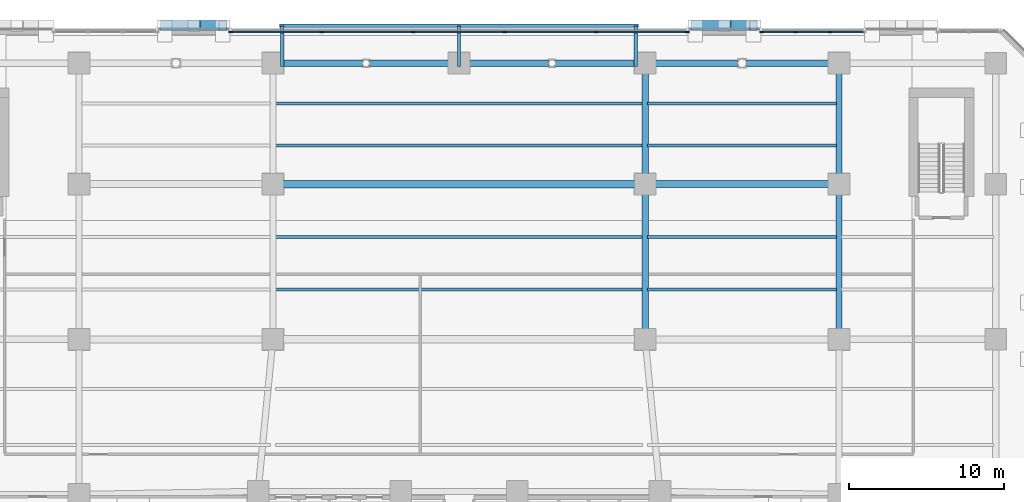
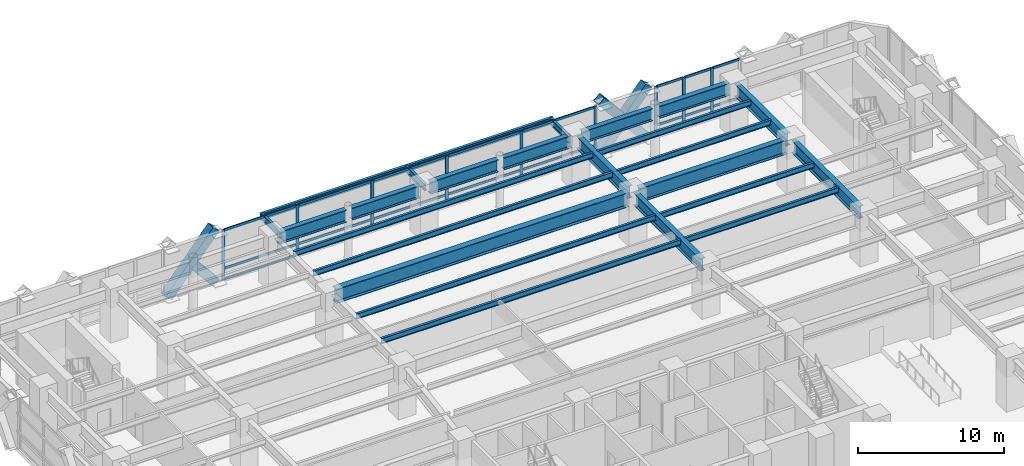
# One storey, part 10 of 30: 38 members, 24 beams, 2 elements without a shape of their own.
"""IFC4 building model written with IfcOpenShell, lengths in metres."""

import ifcopenshell
import ifcopenshell.guid

model = None  # the IFC model being written
_history = None  # IfcOwnerHistory: only IFC2X3 demands one
_inside = {}  # id of a spatial element -> (the spatial element, [elements in it])
_under = {}  # id of a project, library or spatial element -> (it, [spatial elements below it])
_declared = {}  # id of a project -> (the project, [libraries it declares])
_typed = {}  # id of a type object -> (the type object, [elements of that type])
_made_of = {}  # id of a material, layer set ... -> (it, [elements and type objects made of it])


def new_model(schema):
    """Start an empty IFC model of exactly this schema.

    Asked for "IFC4X3", IfcOpenShell would pick the latest addendum, in which some entities
    have other attributes; the version numbers below select the first issue.
    IFC2X3 requires an IfcOwnerHistory on every rooted entity: one is made here for all.
    """
    global model, _history
    if schema == "IFC4X3":
        model = ifcopenshell.file(schema_version=(4, 3, 0, 0))
    else:
        model = ifcopenshell.file(schema=schema)
    _inside.clear()
    _under.clear()
    _declared.clear()
    _typed.clear()
    _made_of.clear()
    _history = None
    if model.schema == "IFC2X3":
        org = make("IfcOrganization", Name="unknown")
        user = make(
            "IfcPersonAndOrganization",
            ThePerson=make("IfcPerson", FamilyName="unknown"),
            TheOrganization=org,
        )
        app = make(
            "IfcApplication",
            ApplicationDeveloper=org,
            Version="unknown",
            ApplicationFullName="unknown",
            ApplicationIdentifier="unknown",
        )
        _history = make(
            "IfcOwnerHistory",
            OwningUser=user,
            OwningApplication=app,
            ChangeAction="ADDED",
            CreationDate=0,
        )
    return model


def make(cls, **values):
    """One entity of the class cls with the attributes given. An attribute that is None is left unset."""
    return model.create_entity(
        cls, **{name: value for name, value in values.items() if value is not None}
    )


def rooted(cls, **values):
    """An entity with a GlobalId (a new one), such as an element, a storey or a relation."""
    return make(cls, GlobalId=ifcopenshell.guid.new(), OwnerHistory=_history, **values)


def si_unit(unit_type, name, prefix=None):
    """IfcSIUnit, for example si_unit("LENGTHUNIT", "METRE", prefix="MILLI")."""
    return make("IfcSIUnit", UnitType=unit_type, Prefix=prefix, Name=name)


def assignment(units):
    """IfcUnitAssignment: the units of a project."""
    return None if units is None else make("IfcUnitAssignment", Units=units)


def point(xyz):
    """IfcCartesianPoint."""
    return None if xyz is None else make("IfcCartesianPoint", Coordinates=xyz)


def direction(xyz):
    """IfcDirection."""
    return None if xyz is None else make("IfcDirection", DirectionRatios=xyz)


def frame(location, z_axis=None, x_axis=None):
    """IfcAxis2Placement3D, a coordinate frame: its origin and axes. An axis left out is left unset."""
    return make(
        "IfcAxis2Placement3D",
        Location=point(location),
        Axis=direction(z_axis),
        RefDirection=direction(x_axis),
    )


def frame_2d(location, x_axis=None):
    """IfcAxis2Placement2D, a coordinate frame in the plane: its origin and x axis."""
    return make(
        "IfcAxis2Placement2D", Location=point(location), RefDirection=direction(x_axis)
    )


def origin():
    """The frame at (0, 0, 0) with its axes left unset."""
    return frame((0.0, 0.0, 0.0))


def origin_2d():
    """The frame at (0, 0) in the plane with its x axis left unset."""
    return frame_2d((0.0, 0.0))


def place(relative_to, where):
    """IfcLocalPlacement: puts the frame where relative to a parent placement (None: the world)."""
    return make(
        "IfcLocalPlacement", PlacementRelTo=relative_to, RelativePlacement=where
    )


def context(
    kind, dimensions, precision=None, world=None, true_north=None, identifier=None
):
    """IfcGeometricRepresentationContext, for example the 3D "Model" context."""
    return make(
        "IfcGeometricRepresentationContext",
        ContextIdentifier=identifier,
        ContextType=kind,
        CoordinateSpaceDimension=dimensions,
        Precision=precision,
        WorldCoordinateSystem=world,
        TrueNorth=true_north,
    )


def subcontext(parent, identifier, kind, view, scale=None):
    """IfcGeometricRepresentationSubContext, for example "Body" below "Model"."""
    return make(
        "IfcGeometricRepresentationSubContext",
        ContextIdentifier=identifier,
        ContextType=kind,
        ParentContext=parent,
        TargetScale=scale,
        TargetView=view,
    )


def project(units=None, contexts=None):
    """IfcProject with its units and contexts."""
    return rooted(
        "IfcProject",
        Name="project",
        RepresentationContexts=contexts,
        UnitsInContext=assignment(units),
    )


def spatial(cls, under=None, at=None, **own):
    """A site, building, storey or space (cls), placed at a placement, below another one or the project."""
    s = rooted(cls, ObjectPlacement=at, **own)
    if under is not None:
        _under.setdefault(under.id(), (under, []))[1].append(s)
    return s


def profile(cls, at=None, kind="AREA", **sizes):
    """A parametric profile (cls). Its sizes go by their IFC names, for example OverallWidth=200.0."""
    return make(cls, ProfileType=kind, Position=at, **sizes)


def rectangle(**sizes):
    """IfcRectangleProfileDef."""
    return profile("IfcRectangleProfileDef", **sizes)


def hollow_rectangle(**sizes):
    """IfcRectangleHollowProfileDef."""
    return profile("IfcRectangleHollowProfileDef", **sizes)


def i_section(**sizes):
    """IfcIShapeProfileDef."""
    return profile("IfcIShapeProfileDef", **sizes)


def extrude(swept, where, along, depth):
    """IfcExtrudedAreaSolid: the profile swept, set in the frame where, extruded along a direction by depth."""
    return make(
        "IfcExtrudedAreaSolid",
        SweptArea=swept,
        Position=where,
        ExtrudedDirection=direction(along),
        Depth=depth,
    )


def shape(context_of_items, identifier, shape_type, items):
    """IfcShapeRepresentation: the items that make up one representation, for example the "Body"."""
    return make(
        "IfcShapeRepresentation",
        ContextOfItems=context_of_items,
        RepresentationIdentifier=identifier,
        RepresentationType=shape_type,
        Items=items,
    )


def material(Name=None, Category=None):
    """IfcMaterial."""
    return make("IfcMaterial", Name=Name, Category=Category)


def material_profile(
    of_material, cross_section, Name=None, Category=None, Priority=None
):
    """IfcMaterialProfile: a cross section and its material."""
    return make(
        "IfcMaterialProfile",
        Name=Name,
        Material=of_material,
        Profile=cross_section,
        Priority=Priority,
        Category=Category,
    )


def profile_set(profiles, Name=None, composite=None):
    """IfcMaterialProfileSet."""
    return make(
        "IfcMaterialProfileSet",
        Name=Name,
        MaterialProfiles=profiles,
        CompositeProfile=composite,
    )


def made_of(thing, what):
    """Note that an element or type object is made of a material, layer set ...; save() writes the relation."""
    if what is not None:
        _made_of.setdefault(what.id(), (what, []))[1].append(thing)
    return thing


def type_object(cls, material=None, **own):
    """A type object (cls), such as IfcWallType, which elements share."""
    return made_of(rooted(cls, **own), material)


def element(
    cls,
    number,
    at=None,
    inside=None,
    cuts=None,
    type_object=None,
    material=None,
    context=None,
    identifier="Body",
    shape_type=None,
    held_by="IfcProductDefinitionShape",
    body=None,
    shapes=None,
    **own,
):
    """One element of the class cls, such as IfcWall. Its Tag is "e" and its number.

    at: its placement. inside: the storey or other place that contains it. cuts: it is an
    opening in that element (IfcRelVoidsElement). A single representation is given by context,
    identifier, shape_type and body (its items); several are given by shapes. held_by: the class
    of the entity that holds the representations. save() writes the other relations.
    """
    e = rooted(cls, Tag="e%d" % number, ObjectPlacement=at, **own)
    if body is not None:
        shapes = [shape(context, identifier, shape_type, body)]
    if shapes is not None:
        e.Representation = make(held_by, Representations=shapes)
    if inside is not None:
        _inside.setdefault(inside.id(), (inside, []))[1].append(e)
    if cuts is not None:
        rooted(
            "IfcRelVoidsElement", RelatingBuildingElement=cuts, RelatedOpeningElement=e
        )
    if type_object is not None:
        _typed.setdefault(type_object.id(), (type_object, []))[1].append(e)
    return made_of(e, material)


def aggregate(whole, parts):
    """IfcRelAggregates: a whole, such as a stair, and the parts it consists of."""
    return rooted("IfcRelAggregates", RelatingObject=whole, RelatedObjects=parts)


def save(model, path):
    """Write the relations noted so far, then the file.

    IfcRelAggregates (storeys below a building ...), IfcRelContainedInSpatialStructure (elements
    in a storey), IfcRelDefinesByType, IfcRelAssociatesMaterial and IfcRelDeclares: one each for
    every whole, place, type object, material and project.
    """
    for whole, parts in _under.values():
        aggregate(whole, parts)
    for where, things in _inside.values():
        rooted(
            "IfcRelContainedInSpatialStructure",
            RelatedElements=things,
            RelatingStructure=where,
        )
    for kind, things in _typed.values():
        rooted("IfcRelDefinesByType", RelatedObjects=things, RelatingType=kind)
    for what, things in _made_of.values():
        rooted("IfcRelAssociatesMaterial", RelatedObjects=things, RelatingMaterial=what)
    for by, libraries in _declared.values():
        rooted("IfcRelDeclares", RelatingContext=by, RelatedDefinitions=libraries)
    model.write(path)


model = new_model("IFC4")

# Units and contexts
model_context = context("Model", 3, precision=1e-05, world=origin(), true_north=direction((0.0, 1.0)))
body_context = subcontext(model_context, "Body", "Model", "MODEL_VIEW")
ifc_project = project(units=[si_unit("LENGTHUNIT", "METRE"), si_unit("AREAUNIT", "SQUARE_METRE"), si_unit("VOLUMEUNIT", "CUBIC_METRE"), si_unit("PLANEANGLEUNIT", "RADIAN"), si_unit("MASSUNIT", "GRAM", prefix="KILO")], contexts=[model_context])

# Site, building, storey
site_placement = place(None, origin())
site = spatial("IfcSite", under=ifc_project, at=site_placement, CompositionType="ELEMENT")
building_placement = place(site_placement, origin())
building = spatial("IfcBuilding", under=site, at=building_placement, Name="Quenlor Broadcast Tower", CompositionType="ELEMENT")
storey_placement = place(building_placement, frame((0.0, 0.0, 9.5)))
storey = spatial("IfcBuildingStorey", under=building, at=storey_placement, Name="L02", CompositionType="ELEMENT", Elevation=9.5)

# Curtain wall, members
ifc_material_1 = material(Name="Architectural Terracotta and Low-E Glazing", Category="masonry")
curtain_wall_type = type_object("IfcCurtainWallType", Name="Station Concourse and Crown Terracotta Curtain Wall", PredefinedType="NOTDEFINED", material=ifc_material_1)
curtain_wall_1_placement = place(storey_placement, origin())
curtain_wall_1 = element("IfcCurtainWall", 1, at=curtain_wall_1_placement, inside=storey, type_object=curtain_wall_type, Name="L02 Curtain Wall CW6 (L02-N-FULL-G3)", PredefinedType="NOTDEFINED")
ifc_material_2 = material(Name="Aluminium 6063-T6", Category="aluminium")
ifc_material_profile_1 = material_profile(ifc_material_2, rectangle(XDim=0.08203125, YDim=0.239990234375, at=origin_2d()))
ifc_profile_set_1 = profile_set([ifc_material_profile_1], Name="Aluminium 6063-T6 MULL82x240")
member_type_1 = type_object("IfcMemberType", Name="CW6 Aluminium Mullion MULL_CW6", PredefinedType="MULLION", material=ifc_profile_set_1)
member_1_placement = place(storey_placement, frame((-14.70947265625, 24.820068359375, 0.0), z_axis=(0.0, 0.0, 1.0), x_axis=(0.0, 1.0, 0.0)))
member_1 = element("IfcMember", 2, at=member_1_placement, type_object=member_type_1, Name="CW6 mullion 1", PredefinedType="MULLION", context=body_context, shape_type="SweptSolid", body=[
    extrude(rectangle(XDim=0.08203125, YDim=0.239990234375, at=origin_2d()), origin(), (0.0, 0.0, 1.0), 4.199951171875),
])
member_2_placement = place(storey_placement, frame((-8.850341796875, 24.820068359375, 0.0), z_axis=(0.0, 0.0, 1.0), x_axis=(0.0, 1.0, 0.0)))
member_2 = element("IfcMember", 3, at=member_2_placement, type_object=member_type_1, Name="CW6 mullion 2", PredefinedType="MULLION", context=body_context, shape_type="SweptSolid", body=[
    extrude(rectangle(XDim=0.08203125, YDim=0.239990234375, at=origin_2d()), origin(), (0.0, 0.0, 1.0), 4.199951171875),
])
member_3_placement = place(storey_placement, frame((-2.9501953125, 24.820068359375, 0.0), z_axis=(0.0, 0.0, 1.0), x_axis=(0.0, 1.0, 0.0)))
member_3 = element("IfcMember", 4, at=member_3_placement, type_object=member_type_1, Name="CW6 mullion 3", PredefinedType="MULLION", context=body_context, shape_type="SweptSolid", body=[
    extrude(rectangle(XDim=0.08203125, YDim=0.239990234375, at=origin_2d()), origin(), (0.0, 0.0, 1.0), 4.199951171875),
])
member_4_placement = place(storey_placement, frame((2.9501953125, 24.820068359375, 0.0), z_axis=(0.0, 0.0, 1.0), x_axis=(0.0, 1.0, 0.0)))
member_4 = element("IfcMember", 5, at=member_4_placement, type_object=member_type_1, Name="CW6 mullion 4", PredefinedType="MULLION", context=body_context, shape_type="SweptSolid", body=[
    extrude(rectangle(XDim=0.08203125, YDim=0.239990234375, at=origin_2d()), origin(), (0.0, 0.0, 1.0), 4.199951171875),
])
member_5_placement = place(storey_placement, frame((8.850341796875, 24.820068359375, 0.0), z_axis=(0.0, 0.0, 1.0), x_axis=(0.0, 1.0, 0.0)))
member_5 = element("IfcMember", 6, at=member_5_placement, type_object=member_type_1, Name="CW6 mullion 5", PredefinedType="MULLION", context=body_context, shape_type="SweptSolid", body=[
    extrude(rectangle(XDim=0.08203125, YDim=0.239990234375, at=origin_2d()), origin(), (0.0, 0.0, 1.0), 4.199951171875),
])
member_6_placement = place(storey_placement, frame((14.70947265625, 24.820068359375, 0.0), z_axis=(0.0, 0.0, 1.0), x_axis=(0.0, 1.0, 0.0)))
member_6 = element("IfcMember", 7, at=member_6_placement, type_object=member_type_1, Name="CW6 mullion 6", PredefinedType="MULLION", context=body_context, shape_type="SweptSolid", body=[
    extrude(rectangle(XDim=0.08203125, YDim=0.239990234375, at=origin_2d()), origin(), (0.0, 0.0, 1.0), 4.199951171875),
])

curtain_wall_2_placement = place(storey_placement, origin())
curtain_wall_2 = element("IfcCurtainWall", 8, at=curtain_wall_2_placement, inside=storey, type_object=curtain_wall_type, Name="L02 Curtain Wall CW6 (L02-N-FULL-G4)", PredefinedType="NOTDEFINED")
member_7_placement = place(storey_placement, frame((19.490478515625, 24.820068359375, 0.0), z_axis=(0.0, 0.0, 1.0), x_axis=(0.0, 1.0, 0.0)))
member_7 = element("IfcMember", 9, at=member_7_placement, type_object=member_type_1, Name="CW6 mullion 1", PredefinedType="MULLION", context=body_context, shape_type="SweptSolid", body=[
    extrude(rectangle(XDim=0.08203125, YDim=0.239990234375, at=origin_2d()), origin(), (0.0, 0.0, 1.0), 4.199951171875),
])
member_8_placement = place(storey_placement, frame((21.68310546875, 24.820068359375, 0.0), z_axis=(0.0, 0.0, 1.0), x_axis=(0.0, 1.0, 0.0)))
member_8 = element("IfcMember", 10, at=member_8_placement, type_object=member_type_1, Name="CW6 mullion 2", PredefinedType="MULLION", context=body_context, shape_type="SweptSolid", body=[
    extrude(rectangle(XDim=0.08203125, YDim=0.239990234375, at=origin_2d()), origin(), (0.0, 0.0, 1.0), 4.199951171875),
])
member_9_placement = place(storey_placement, frame((23.916748046875, 24.820068359375, 0.0), z_axis=(0.0, 0.0, 1.0), x_axis=(0.0, 1.0, 0.0)))
member_9 = element("IfcMember", 11, at=member_9_placement, type_object=member_type_1, Name="CW6 mullion 3", PredefinedType="MULLION", context=body_context, shape_type="SweptSolid", body=[
    extrude(rectangle(XDim=0.08203125, YDim=0.239990234375, at=origin_2d()), origin(), (0.0, 0.0, 1.0), 4.199951171875),
])

# Member
ifc_material_3 = material(Name="Aluminium 6063-T6", Category="aluminium")
ifc_material_profile_2 = material_profile(ifc_material_3, rectangle(XDim=0.08203125, YDim=0.195068359375, at=origin_2d()))
ifc_profile_set_2 = profile_set([ifc_material_profile_2], Name="Aluminium 6063-T6 TRAN82x195")
member_type_2 = type_object("IfcMemberType", Name="CW6 Aluminium Transom TRAN_CW6", PredefinedType="USERDEFINED", material=ifc_profile_set_2)
member_10_placement = place(storey_placement, frame((-14.66845703125, 24.820068359375, 0.041015625), z_axis=(1.0, 0.0, 0.0), x_axis=(0.0, 1.0, 0.0)))
member_10 = element("IfcMember", 12, at=member_10_placement, type_object=member_type_2, Name="CW6 transom 1.1", ObjectType="TRANSOM", PredefinedType="USERDEFINED", context=body_context, shape_type="SweptSolid", body=[
    extrude(rectangle(XDim=0.08203125, YDim=0.195068359375, at=origin_2d()), origin(), (0.0, 0.0, 1.0), 5.777099609375),
])

member_11_placement = place(storey_placement, frame((-14.66845703125, 24.820068359375, 0.949951171875), z_axis=(1.0, 0.0, 0.0), x_axis=(0.0, 1.0, 0.0)))
member_11 = element("IfcMember", 13, at=member_11_placement, type_object=member_type_2, Name="CW6 transom 1.2", ObjectType="TRANSOM", PredefinedType="USERDEFINED", context=body_context, shape_type="SweptSolid", body=[
    extrude(rectangle(XDim=0.08203125, YDim=0.195068359375, at=origin_2d()), origin(), (0.0, 0.0, 1.0), 5.777099609375),
])

member_12_placement = place(storey_placement, frame((-14.66845703125, 24.820068359375, 4.158935546875), z_axis=(1.0, 0.0, 0.0), x_axis=(0.0, 1.0, 0.0)))
member_12 = element("IfcMember", 14, at=member_12_placement, type_object=member_type_2, Name="CW6 transom 1.3", ObjectType="TRANSOM", PredefinedType="USERDEFINED", context=body_context, shape_type="SweptSolid", body=[
    extrude(rectangle(XDim=0.08203125, YDim=0.195068359375, at=origin_2d()), origin(), (0.0, 0.0, 1.0), 5.777099609375),
])

member_13_placement = place(storey_placement, frame((-8.809326171875, 24.820068359375, 0.041015625), z_axis=(1.0, 0.0, 0.0), x_axis=(0.0, 1.0, 0.0)))
member_13 = element("IfcMember", 15, at=member_13_placement, type_object=member_type_2, Name="CW6 transom 2.1", ObjectType="TRANSOM", PredefinedType="USERDEFINED", context=body_context, shape_type="SweptSolid", body=[
    extrude(rectangle(XDim=0.08203125, YDim=0.195068359375, at=origin_2d()), origin(), (0.0, 0.0, 1.0), 5.818115234375),
])

member_14_placement = place(storey_placement, frame((-8.809326171875, 24.820068359375, 0.949951171875), z_axis=(1.0, 0.0, 0.0), x_axis=(0.0, 1.0, 0.0)))
member_14 = element("IfcMember", 16, at=member_14_placement, type_object=member_type_2, Name="CW6 transom 2.2", ObjectType="TRANSOM", PredefinedType="USERDEFINED", context=body_context, shape_type="SweptSolid", body=[
    extrude(rectangle(XDim=0.08203125, YDim=0.195068359375, at=origin_2d()), origin(), (0.0, 0.0, 1.0), 5.818115234375),
])

member_15_placement = place(storey_placement, frame((-8.809326171875, 24.820068359375, 4.158935546875), z_axis=(1.0, 0.0, 0.0), x_axis=(0.0, 1.0, 0.0)))
member_15 = element("IfcMember", 17, at=member_15_placement, type_object=member_type_2, Name="CW6 transom 2.3", ObjectType="TRANSOM", PredefinedType="USERDEFINED", context=body_context, shape_type="SweptSolid", body=[
    extrude(rectangle(XDim=0.08203125, YDim=0.195068359375, at=origin_2d()), origin(), (0.0, 0.0, 1.0), 5.818115234375),
])

member_16_placement = place(storey_placement, frame((-2.9091796875, 24.820068359375, 0.041015625), z_axis=(1.0, 0.0, 0.0), x_axis=(0.0, 1.0, 0.0)))
member_16 = element("IfcMember", 18, at=member_16_placement, type_object=member_type_2, Name="CW6 transom 3.1", ObjectType="TRANSOM", PredefinedType="USERDEFINED", context=body_context, shape_type="SweptSolid", body=[
    extrude(rectangle(XDim=0.08203125, YDim=0.195068359375, at=origin_2d()), origin(), (0.0, 0.0, 1.0), 5.818359375),
])

member_17_placement = place(storey_placement, frame((-2.9091796875, 24.820068359375, 0.949951171875), z_axis=(1.0, 0.0, 0.0), x_axis=(0.0, 1.0, 0.0)))
member_17 = element("IfcMember", 19, at=member_17_placement, type_object=member_type_2, Name="CW6 transom 3.2", ObjectType="TRANSOM", PredefinedType="USERDEFINED", context=body_context, shape_type="SweptSolid", body=[
    extrude(rectangle(XDim=0.08203125, YDim=0.195068359375, at=origin_2d()), origin(), (0.0, 0.0, 1.0), 5.818359375),
])

member_18_placement = place(storey_placement, frame((-2.9091796875, 24.820068359375, 4.158935546875), z_axis=(1.0, 0.0, 0.0), x_axis=(0.0, 1.0, 0.0)))
member_18 = element("IfcMember", 20, at=member_18_placement, type_object=member_type_2, Name="CW6 transom 3.3", ObjectType="TRANSOM", PredefinedType="USERDEFINED", context=body_context, shape_type="SweptSolid", body=[
    extrude(rectangle(XDim=0.08203125, YDim=0.195068359375, at=origin_2d()), origin(), (0.0, 0.0, 1.0), 5.818359375),
])

member_19_placement = place(storey_placement, frame((2.9912109375, 24.820068359375, 0.041015625), z_axis=(1.0, 0.0, 0.0), x_axis=(0.0, 1.0, 0.0)))
member_19 = element("IfcMember", 21, at=member_19_placement, type_object=member_type_2, Name="CW6 transom 4.1", ObjectType="TRANSOM", PredefinedType="USERDEFINED", context=body_context, shape_type="SweptSolid", body=[
    extrude(rectangle(XDim=0.08203125, YDim=0.195068359375, at=origin_2d()), origin(), (0.0, 0.0, 1.0), 5.818115234375),
])

member_20_placement = place(storey_placement, frame((2.9912109375, 24.820068359375, 0.949951171875), z_axis=(1.0, 0.0, 0.0), x_axis=(0.0, 1.0, 0.0)))
member_20 = element("IfcMember", 22, at=member_20_placement, type_object=member_type_2, Name="CW6 transom 4.2", ObjectType="TRANSOM", PredefinedType="USERDEFINED", context=body_context, shape_type="SweptSolid", body=[
    extrude(rectangle(XDim=0.08203125, YDim=0.195068359375, at=origin_2d()), origin(), (0.0, 0.0, 1.0), 5.818115234375),
])

member_21_placement = place(storey_placement, frame((2.9912109375, 24.820068359375, 4.158935546875), z_axis=(1.0, 0.0, 0.0), x_axis=(0.0, 1.0, 0.0)))
member_21 = element("IfcMember", 23, at=member_21_placement, type_object=member_type_2, Name="CW6 transom 4.3", ObjectType="TRANSOM", PredefinedType="USERDEFINED", context=body_context, shape_type="SweptSolid", body=[
    extrude(rectangle(XDim=0.08203125, YDim=0.195068359375, at=origin_2d()), origin(), (0.0, 0.0, 1.0), 5.818115234375),
])

member_22_placement = place(storey_placement, frame((8.891357421875, 24.820068359375, 0.041015625), z_axis=(1.0, 0.0, 0.0), x_axis=(0.0, 1.0, 0.0)))
member_22 = element("IfcMember", 24, at=member_22_placement, type_object=member_type_2, Name="CW6 transom 5.1", ObjectType="TRANSOM", PredefinedType="USERDEFINED", context=body_context, shape_type="SweptSolid", body=[
    extrude(rectangle(XDim=0.08203125, YDim=0.195068359375, at=origin_2d()), origin(), (0.0, 0.0, 1.0), 5.777099609375),
])

member_23_placement = place(storey_placement, frame((8.891357421875, 24.820068359375, 0.949951171875), z_axis=(1.0, 0.0, 0.0), x_axis=(0.0, 1.0, 0.0)))
member_23 = element("IfcMember", 25, at=member_23_placement, type_object=member_type_2, Name="CW6 transom 5.2", ObjectType="TRANSOM", PredefinedType="USERDEFINED", context=body_context, shape_type="SweptSolid", body=[
    extrude(rectangle(XDim=0.08203125, YDim=0.195068359375, at=origin_2d()), origin(), (0.0, 0.0, 1.0), 5.777099609375),
])

member_24_placement = place(storey_placement, frame((8.891357421875, 24.820068359375, 4.158935546875), z_axis=(1.0, 0.0, 0.0), x_axis=(0.0, 1.0, 0.0)))
member_24 = element("IfcMember", 26, at=member_24_placement, type_object=member_type_2, Name="CW6 transom 5.3", ObjectType="TRANSOM", PredefinedType="USERDEFINED", context=body_context, shape_type="SweptSolid", body=[
    extrude(rectangle(XDim=0.08203125, YDim=0.195068359375, at=origin_2d()), origin(), (0.0, 0.0, 1.0), 5.777099609375),
])

aggregate(curtain_wall_1, [member_1, member_2, member_3, member_4, member_5, member_6, member_10, member_11, member_12, member_13, member_14, member_15, member_16, member_17, member_18, member_19, member_20, member_21, member_22, member_23, member_24])

member_25_placement = place(storey_placement, frame((19.531494140625, 24.820068359375, 0.041015625), z_axis=(1.0, 0.0, 0.0), x_axis=(0.0, 1.0, 0.0)))
member_25 = element("IfcMember", 27, at=member_25_placement, type_object=member_type_2, Name="CW6 transom 1.1", ObjectType="TRANSOM", PredefinedType="USERDEFINED", context=body_context, shape_type="SweptSolid", body=[
    extrude(rectangle(XDim=0.08203125, YDim=0.195068359375, at=origin_2d()), origin(), (0.0, 0.0, 1.0), 2.110595703125),
])

member_26_placement = place(storey_placement, frame((19.531494140625, 24.820068359375, 0.949951171875), z_axis=(1.0, 0.0, 0.0), x_axis=(0.0, 1.0, 0.0)))
member_26 = element("IfcMember", 28, at=member_26_placement, type_object=member_type_2, Name="CW6 transom 1.2", ObjectType="TRANSOM", PredefinedType="USERDEFINED", context=body_context, shape_type="SweptSolid", body=[
    extrude(rectangle(XDim=0.08203125, YDim=0.195068359375, at=origin_2d()), origin(), (0.0, 0.0, 1.0), 2.110595703125),
])

member_27_placement = place(storey_placement, frame((19.531494140625, 24.820068359375, 4.158935546875), z_axis=(1.0, 0.0, 0.0), x_axis=(0.0, 1.0, 0.0)))
member_27 = element("IfcMember", 29, at=member_27_placement, type_object=member_type_2, Name="CW6 transom 1.3", ObjectType="TRANSOM", PredefinedType="USERDEFINED", context=body_context, shape_type="SweptSolid", body=[
    extrude(rectangle(XDim=0.08203125, YDim=0.195068359375, at=origin_2d()), origin(), (0.0, 0.0, 1.0), 2.110595703125),
])

member_28_placement = place(storey_placement, frame((21.72412109375, 24.820068359375, 0.041015625), z_axis=(1.0, 0.0, 0.0), x_axis=(0.0, 1.0, 0.0)))
member_28 = element("IfcMember", 30, at=member_28_placement, type_object=member_type_2, Name="CW6 transom 2.1", ObjectType="TRANSOM", PredefinedType="USERDEFINED", context=body_context, shape_type="SweptSolid", body=[
    extrude(rectangle(XDim=0.08203125, YDim=0.195068359375, at=origin_2d()), origin(), (0.0, 0.0, 1.0), 2.151611328125),
])

member_29_placement = place(storey_placement, frame((21.72412109375, 24.820068359375, 0.949951171875), z_axis=(1.0, 0.0, 0.0), x_axis=(0.0, 1.0, 0.0)))
member_29 = element("IfcMember", 31, at=member_29_placement, type_object=member_type_2, Name="CW6 transom 2.2", ObjectType="TRANSOM", PredefinedType="USERDEFINED", context=body_context, shape_type="SweptSolid", body=[
    extrude(rectangle(XDim=0.08203125, YDim=0.195068359375, at=origin_2d()), origin(), (0.0, 0.0, 1.0), 2.151611328125),
])

member_30_placement = place(storey_placement, frame((21.72412109375, 24.820068359375, 4.158935546875), z_axis=(1.0, 0.0, 0.0), x_axis=(0.0, 1.0, 0.0)))
member_30 = element("IfcMember", 32, at=member_30_placement, type_object=member_type_2, Name="CW6 transom 2.3", ObjectType="TRANSOM", PredefinedType="USERDEFINED", context=body_context, shape_type="SweptSolid", body=[
    extrude(rectangle(XDim=0.08203125, YDim=0.195068359375, at=origin_2d()), origin(), (0.0, 0.0, 1.0), 2.151611328125),
])

member_31_placement = place(storey_placement, frame((23.957763671875, 24.820068359375, 0.041015625), z_axis=(1.0, 0.0, 0.0), x_axis=(0.0, 1.0, 0.0)))
member_31 = element("IfcMember", 33, at=member_31_placement, type_object=member_type_2, Name="CW6 transom 3.1", ObjectType="TRANSOM", PredefinedType="USERDEFINED", context=body_context, shape_type="SweptSolid", body=[
    extrude(rectangle(XDim=0.08203125, YDim=0.195068359375, at=origin_2d()), origin(), (0.0, 0.0, 1.0), 2.11083984375),
])

member_32_placement = place(storey_placement, frame((23.957763671875, 24.820068359375, 0.949951171875), z_axis=(1.0, 0.0, 0.0), x_axis=(0.0, 1.0, 0.0)))
member_32 = element("IfcMember", 34, at=member_32_placement, type_object=member_type_2, Name="CW6 transom 3.2", ObjectType="TRANSOM", PredefinedType="USERDEFINED", context=body_context, shape_type="SweptSolid", body=[
    extrude(rectangle(XDim=0.08203125, YDim=0.195068359375, at=origin_2d()), origin(), (0.0, 0.0, 1.0), 2.11083984375),
])

member_33_placement = place(storey_placement, frame((23.957763671875, 24.820068359375, 4.158935546875), z_axis=(1.0, 0.0, 0.0), x_axis=(0.0, 1.0, 0.0)))
member_33 = element("IfcMember", 35, at=member_33_placement, type_object=member_type_2, Name="CW6 transom 3.3", ObjectType="TRANSOM", PredefinedType="USERDEFINED", context=body_context, shape_type="SweptSolid", body=[
    extrude(rectangle(XDim=0.08203125, YDim=0.195068359375, at=origin_2d()), origin(), (0.0, 0.0, 1.0), 2.11083984375),
])

aggregate(curtain_wall_2, [member_7, member_8, member_9, member_25, member_26, member_27, member_28, member_29, member_30, member_31, member_32, member_33])

# Members
ifc_material_4 = material(Name="Steel S355", Category="steel")
ifc_material_profile_3 = material_profile(ifc_material_4, hollow_rectangle(XDim=0.679931640625, YDim=0.679931640625, WallThickness=0.034912109375, at=origin_2d()))
ifc_profile_set_3 = profile_set([ifc_material_profile_3], Name="Steel S355 RHS680x680x35")
member_type_3 = type_object("IfcMemberType", Name="Perimeter Diagonal Lattice Brace Z1 Steel S355 RHS680x35", PredefinedType="BRACE", material=ifc_profile_set_3)
member_34_placement = place(storey_placement, frame((-18.977294921875, 25.215087890625, -0.1201171875), z_axis=(0.640626831312, 0.0, 0.767852370578), x_axis=(0.0, 1.0, 0.0)))
element("IfcMember", 36, at=member_34_placement, inside=storey, type_object=member_type_3, Name="L02 Podium Diamond Lattice N-P2XA", PredefinedType="BRACE", context=body_context, shape_type="SweptSolid", body=[
    extrude(hollow_rectangle(XDim=0.679931640625, YDim=0.679931640625, WallThickness=0.034912109375, at=origin_2d()), origin(), (0.0, 0.0, 1.0), 5.860595703125),
])
member_35_placement = place(storey_placement, frame((-15.222900390625, 25.215087890625, -0.1201171875), z_axis=(-0.640560638344, 0.0, 0.767907591188), x_axis=(0.0, -1.0, 0.0)))
element("IfcMember", 37, at=member_35_placement, inside=storey, type_object=member_type_3, Name="L02 Podium Diamond Lattice N-P2XB1", PredefinedType="BRACE", context=body_context, shape_type="SweptSolid", body=[
    extrude(hollow_rectangle(XDim=0.679931640625, YDim=0.679931640625, WallThickness=0.034912109375, at=origin_2d()), origin(), (0.0, 0.0, 1.0), 2.68017578125),
])
member_36_placement = place(storey_placement, frame((15.222900390625, 25.215087890625, -0.1201171875), z_axis=(0.640626831312, 0.0, 0.767852370578), x_axis=(0.0, 1.0, 0.0)))
element("IfcMember", 38, at=member_36_placement, inside=storey, type_object=member_type_3, Name="L02 Podium Diamond Lattice N-P5XA", PredefinedType="BRACE", context=body_context, shape_type="SweptSolid", body=[
    extrude(hollow_rectangle(XDim=0.679931640625, YDim=0.679931640625, WallThickness=0.034912109375, at=origin_2d()), origin(), (0.0, 0.0, 1.0), 5.860595703125),
])
member_37_placement = place(storey_placement, frame((18.977294921875, 25.215087890625, -0.1201171875), z_axis=(-0.640614349103, 0.0, 0.767862784437), x_axis=(0.0, -1.0, 0.0)))
element("IfcMember", 39, at=member_37_placement, inside=storey, type_object=member_type_3, Name="L02 Podium Diamond Lattice N-P5XB1", PredefinedType="BRACE", context=body_context, shape_type="SweptSolid", body=[
    extrude(hollow_rectangle(XDim=0.679931640625, YDim=0.679931640625, WallThickness=0.034912109375, at=origin_2d()), origin(), (0.0, 0.0, 1.0), 2.680419921875),
])
member_38_placement = place(storey_placement, frame((16.939697265625, 25.215087890625, 2.322021484375), z_axis=(-0.640605447875, 0.0, 0.767870210486), x_axis=(0.0, -1.0, 0.0)))
element("IfcMember", 40, at=member_38_placement, inside=storey, type_object=member_type_3, Name="L02 Podium Diamond Lattice N-P5XB2", PredefinedType="BRACE", context=body_context, shape_type="SweptSolid", body=[
    extrude(hollow_rectangle(XDim=0.679931640625, YDim=0.679931640625, WallThickness=0.034912109375, at=origin_2d()), origin(), (0.0, 0.0, 1.0), 2.679931640625),
])

# Beams
ifc_material_5 = material(Name="Steel S355", Category="steel")
ifc_material_profile_4 = material_profile(ifc_material_5, i_section(OverallWidth=0.208984375, OverallDepth=0.532958984375, WebThickness=0.01025390625, FlangeThickness=0.015625, FilletRadius=0.013916015625, at=origin_2d()))
ifc_profile_set_4 = profile_set([ifc_material_profile_4], Name="Steel S355 530UB92.4")
beam_type_1 = type_object("IfcBeamType", Name="Perimeter Spandrel Beam Z1 Steel S355 530UB92.4", PredefinedType="SPANDREL", material=ifc_profile_set_4)
for number, where, z_axis, x_axis, name in (
    (41, (-11.39990234375, 22.5849609375, 3.93359375), (0.0, 1.0, 0.0), (-1.0, 0.0, 0.0), "L02 Concourse Portal Lattice Bridge Tie NM1"),
    (42, (0.0, 22.5849609375, 3.93359375), (0.0, 1.0, 0.0), (-1.0, 0.0, 0.0), "L02 Concourse Portal Lattice Bridge Tie NM2"),
    (43, (11.39990234375, 22.5849609375, 3.93359375), (0.0, 1.0, 0.0), (-1.0, 0.0, 0.0), "L02 Concourse Portal Lattice Bridge Tie NM3"),
):
    element("IfcBeam", number, at=place(storey_placement, frame(where, z_axis=z_axis, x_axis=x_axis)), inside=storey, type_object=beam_type_1, Name=name, PredefinedType="SPANDREL", context=body_context, shape_type="SweptSolid", body=[
        extrude(i_section(OverallWidth=0.208984375, OverallDepth=0.532958984375, WebThickness=0.01025390625, FlangeThickness=0.015625, FilletRadius=0.013916015625, at=origin_2d()), origin(), (0.0, 0.0, 1.0), 2.610107421875),
    ])
beam_1_placement = place(storey_placement, frame((-11.580078125, 25.215087890625, 3.93359375), z_axis=(1.0, 0.0, 0.0), x_axis=(0.0, 1.0, 0.0)))
element("IfcBeam", 44, at=beam_1_placement, inside=storey, type_object=beam_type_1, Name="L02 Concourse Portal Lattice Sill Girder NM", PredefinedType="SPANDREL", context=body_context, shape_type="SweptSolid", body=[
    extrude(i_section(OverallWidth=0.208984375, OverallDepth=0.532958984375, WebThickness=0.01025390625, FlangeThickness=0.015625, FilletRadius=0.013916015625, at=origin_2d()), origin(), (0.0, 0.0, 1.0), 23.16015625),
])
ifc_material_6 = material(Name="Steel S355", Category="steel")
ifc_material_profile_5 = material_profile(ifc_material_6, i_section(OverallWidth=0.39990234375, OverallDepth=1.02392578125, WebThickness=0.01611328125, FlangeThickness=0.031982421875, FilletRadius=0.01611328125, at=origin_2d()))
ifc_profile_set_5 = profile_set([ifc_material_profile_5], Name="Steel S355 1000WB322")
beam_type_2 = type_object("IfcBeamType", Name="Podium Concourse Girder Steel S355 1000WB322", PredefinedType="BEAM", material=ifc_profile_set_5)
for number, where, z_axis, x_axis, name in (
    (45, (-11.580078125, 22.800048828125, 3.68798828125), (1.0, 0.0, 0.0), (0.0, 1.0, 0.0), "L02 Podium Girder 27"),
    (46, (-5.76611328125, 22.800048828125, 3.68798828125), (1.0, 0.0, 0.0), (0.0, 1.0, 0.0), "L02 Podium Girder 28"),
    (47, (0.419921875, 22.800048828125, 3.68798828125), (1.0, 0.0, 0.0), (0.0, 1.0, 0.0), "L02 Podium Girder 29"),
    (48, (6.23388671875, 22.800048828125, 3.68798828125), (1.0, 0.0, 0.0), (0.0, 1.0, 0.0), "L02 Podium Girder 30"),
):
    element("IfcBeam", number, at=place(storey_placement, frame(where, z_axis=z_axis, x_axis=x_axis)), inside=storey, type_object=beam_type_2, Name=name, PredefinedType="BEAM", context=body_context, shape_type="SweptSolid", body=[
        extrude(i_section(OverallWidth=0.39990234375, OverallDepth=1.02392578125, WebThickness=0.01611328125, FlangeThickness=0.031982421875, FilletRadius=0.01611328125, at=origin_2d()), origin(), (0.0, 0.0, 1.0), 5.34619140625),
    ])
for number, where, z_axis, x_axis, name in (
    (49, (12.419921875, 22.800048828125, 3.68798828125), (1.0, 0.0, 0.0), (0.0, 1.0, 0.0), "L02 Podium Girder 31"),
    (50, (18.534912109375, 22.800048828125, 3.68798828125), (1.0, 0.0, 0.0), (0.0, 1.0, 0.0), "L02 Podium Girder 32"),
):
    element("IfcBeam", number, at=place(storey_placement, frame(where, z_axis=z_axis, x_axis=x_axis)), inside=storey, type_object=beam_type_2, Name=name, PredefinedType="BEAM", context=body_context, shape_type="SweptSolid", body=[
        extrude(i_section(OverallWidth=0.39990234375, OverallDepth=1.02392578125, WebThickness=0.01611328125, FlangeThickness=0.031982421875, FilletRadius=0.01611328125, at=origin_2d()), origin(), (0.0, 0.0, 1.0), 5.545166015625),
    ])
beam_2_placement = place(storey_placement, frame((24.5, 5.419921875, 3.68798828125), z_axis=(0.0, 1.0, 0.0), x_axis=(-1.0, 0.0, 0.0)))
element("IfcBeam", 51, at=beam_2_placement, inside=storey, type_object=beam_type_2, Name="L02 Podium Girder 47", PredefinedType="BEAM", context=body_context, shape_type="SweptSolid", body=[
    extrude(i_section(OverallWidth=0.39990234375, OverallDepth=1.02392578125, WebThickness=0.01611328125, FlangeThickness=0.031982421875, FilletRadius=0.01611328125, at=origin_2d()), origin(), (0.0, 0.0, 1.0), 9.16015625),
])
beam_3_placement = place(storey_placement, frame((24.5, 15.419921875, 3.68798828125), z_axis=(0.0, 1.0, 0.0), x_axis=(-1.0, 0.0, 0.0)))
element("IfcBeam", 52, at=beam_3_placement, inside=storey, type_object=beam_type_2, Name="L02 Podium Girder 48", PredefinedType="BEAM", context=body_context, shape_type="SweptSolid", body=[
    extrude(i_section(OverallWidth=0.39990234375, OverallDepth=1.02392578125, WebThickness=0.01611328125, FlangeThickness=0.031982421875, FilletRadius=0.01611328125, at=origin_2d()), origin(), (0.0, 0.0, 1.0), 6.9599609375),
])
beam_4_placement = place(storey_placement, frame((12.0, 5.419921875, 3.68798828125), z_axis=(0.0, 1.0, 0.0), x_axis=(-1.0, 0.0, 0.0)))
element("IfcBeam", 53, at=beam_4_placement, inside=storey, type_object=beam_type_2, Name="L02 Podium Girder 56", PredefinedType="BEAM", context=body_context, shape_type="SweptSolid", body=[
    extrude(i_section(OverallWidth=0.39990234375, OverallDepth=1.02392578125, WebThickness=0.01611328125, FlangeThickness=0.031982421875, FilletRadius=0.01611328125, at=origin_2d()), origin(), (0.0, 0.0, 1.0), 9.16015625),
])
beam_5_placement = place(storey_placement, frame((12.0, 15.419921875, 3.68798828125), z_axis=(0.0, 1.0, 0.0), x_axis=(-1.0, 0.0, 0.0)))
element("IfcBeam", 54, at=beam_5_placement, inside=storey, type_object=beam_type_2, Name="L02 Podium Girder 57", PredefinedType="BEAM", context=body_context, shape_type="SweptSolid", body=[
    extrude(i_section(OverallWidth=0.39990234375, OverallDepth=1.02392578125, WebThickness=0.01611328125, FlangeThickness=0.031982421875, FilletRadius=0.01611328125, at=origin_2d()), origin(), (0.0, 0.0, 1.0), 6.9599609375),
])
ifc_material_7 = material(Name="Steel S355", Category="steel")
ifc_material_profile_6 = material_profile(ifc_material_7, i_section(OverallWidth=0.18994140625, OverallDepth=0.453857421875, WebThickness=0.008544921875, FlangeThickness=0.0126953125, FilletRadius=0.011474609375, at=origin_2d()))
ifc_profile_set_6 = profile_set([ifc_material_profile_6], Name="Steel S355 460UB67.1")
beam_type_3 = type_object("IfcBeamType", Name="Podium Floor Joist Steel S355 460UB67.1", PredefinedType="JOIST", material=ifc_profile_set_6)
beam_6_placement = place(storey_placement, frame((-11.840087890625, 8.199951171875, 3.97314453125), z_axis=(1.0, 0.0, 0.0), x_axis=(0.0, 1.0, 0.0)))
element("IfcBeam", 55, at=beam_6_placement, inside=storey, type_object=beam_type_3, Name="L02 Podium Floor Joist 3", PredefinedType="JOIST", context=body_context, shape_type="SweptSolid", body=[
    extrude(i_section(OverallWidth=0.18994140625, OverallDepth=0.453857421875, WebThickness=0.008544921875, FlangeThickness=0.0126953125, FilletRadius=0.011474609375, at=origin_2d()), origin(), (0.0, 0.0, 1.0), 23.68017578125),
])
beam_7_placement = place(storey_placement, frame((12.159912109375, 8.199951171875, 3.97314453125), z_axis=(1.0, 0.0, 0.0), x_axis=(0.0, 1.0, 0.0)))
element("IfcBeam", 56, at=beam_7_placement, inside=storey, type_object=beam_type_3, Name="L02 Podium Floor Joist 4", PredefinedType="JOIST", context=body_context, shape_type="SweptSolid", body=[
    extrude(i_section(OverallWidth=0.18994140625, OverallDepth=0.453857421875, WebThickness=0.008544921875, FlangeThickness=0.0126953125, FilletRadius=0.011474609375, at=origin_2d()), origin(), (0.0, 0.0, 1.0), 12.18017578125),
])
beam_8_placement = place(storey_placement, frame((-11.840087890625, 11.60009765625, 3.97314453125), z_axis=(1.0, 0.0, 0.0), x_axis=(0.0, 1.0, 0.0)))
element("IfcBeam", 57, at=beam_8_placement, inside=storey, type_object=beam_type_3, Name="L02 Podium Floor Joist 8", PredefinedType="JOIST", context=body_context, shape_type="SweptSolid", body=[
    extrude(i_section(OverallWidth=0.18994140625, OverallDepth=0.453857421875, WebThickness=0.008544921875, FlangeThickness=0.0126953125, FilletRadius=0.011474609375, at=origin_2d()), origin(), (0.0, 0.0, 1.0), 23.68017578125),
])
beam_9_placement = place(storey_placement, frame((12.159912109375, 11.60009765625, 3.97314453125), z_axis=(1.0, 0.0, 0.0), x_axis=(0.0, 1.0, 0.0)))
element("IfcBeam", 58, at=beam_9_placement, inside=storey, type_object=beam_type_3, Name="L02 Podium Floor Joist 9", PredefinedType="JOIST", context=body_context, shape_type="SweptSolid", body=[
    extrude(i_section(OverallWidth=0.18994140625, OverallDepth=0.453857421875, WebThickness=0.008544921875, FlangeThickness=0.0126953125, FilletRadius=0.011474609375, at=origin_2d()), origin(), (0.0, 0.0, 1.0), 12.18017578125),
])
beam_10_placement = place(storey_placement, frame((-11.840087890625, 17.5, 3.97314453125), z_axis=(1.0, 0.0, 0.0), x_axis=(0.0, 1.0, 0.0)))
element("IfcBeam", 59, at=beam_10_placement, inside=storey, type_object=beam_type_3, Name="L02 Podium Floor Joist 13", PredefinedType="JOIST", context=body_context, shape_type="SweptSolid", body=[
    extrude(i_section(OverallWidth=0.18994140625, OverallDepth=0.453857421875, WebThickness=0.008544921875, FlangeThickness=0.0126953125, FilletRadius=0.011474609375, at=origin_2d()), origin(), (0.0, 0.0, 1.0), 23.68017578125),
])
beam_11_placement = place(storey_placement, frame((12.159912109375, 17.5, 3.97314453125), z_axis=(1.0, 0.0, 0.0), x_axis=(0.0, 1.0, 0.0)))
element("IfcBeam", 60, at=beam_11_placement, inside=storey, type_object=beam_type_3, Name="L02 Podium Floor Joist 14", PredefinedType="JOIST", context=body_context, shape_type="SweptSolid", body=[
    extrude(i_section(OverallWidth=0.18994140625, OverallDepth=0.453857421875, WebThickness=0.008544921875, FlangeThickness=0.0126953125, FilletRadius=0.011474609375, at=origin_2d()), origin(), (0.0, 0.0, 1.0), 12.18017578125),
])
beam_12_placement = place(storey_placement, frame((-11.840087890625, 20.199951171875, 3.97314453125), z_axis=(1.0, 0.0, 0.0), x_axis=(0.0, 1.0, 0.0)))
element("IfcBeam", 61, at=beam_12_placement, inside=storey, type_object=beam_type_3, Name="L02 Podium Floor Joist 18", PredefinedType="JOIST", context=body_context, shape_type="SweptSolid", body=[
    extrude(i_section(OverallWidth=0.18994140625, OverallDepth=0.453857421875, WebThickness=0.008544921875, FlangeThickness=0.0126953125, FilletRadius=0.011474609375, at=origin_2d()), origin(), (0.0, 0.0, 1.0), 23.68017578125),
])
beam_13_placement = place(storey_placement, frame((12.159912109375, 20.199951171875, 3.97314453125), z_axis=(1.0, 0.0, 0.0), x_axis=(0.0, 1.0, 0.0)))
element("IfcBeam", 62, at=beam_13_placement, inside=storey, type_object=beam_type_3, Name="L02 Podium Floor Joist 19", PredefinedType="JOIST", context=body_context, shape_type="SweptSolid", body=[
    extrude(i_section(OverallWidth=0.18994140625, OverallDepth=0.453857421875, WebThickness=0.008544921875, FlangeThickness=0.0126953125, FilletRadius=0.011474609375, at=origin_2d()), origin(), (0.0, 0.0, 1.0), 12.18017578125),
])
ifc_material_8 = material(Name="Steel S355", Category="steel")
ifc_material_profile_7 = material_profile(ifc_material_8, i_section(OverallWidth=0.5, OverallDepth=1.199951171875, WebThickness=0.02001953125, FlangeThickness=0.035888671875, FilletRadius=0.01611328125, at=origin_2d()))
ifc_profile_set_7 = profile_set([ifc_material_profile_7], Name="Steel S355 1200WB455")
beam_type_4 = type_object("IfcBeamType", Name="Podium Long Span Studio Girder Steel S355 1200WB455", PredefinedType="BEAM", material=ifc_profile_set_7)
beam_14_placement = place(storey_placement, frame((-11.580078125, 15.0, 3.60009765625), z_axis=(1.0, 0.0, 0.0), x_axis=(0.0, 1.0, 0.0)))
element("IfcBeam", 63, at=beam_14_placement, inside=storey, type_object=beam_type_4, Name="L02 Podium Girder 21", PredefinedType="BEAM", context=body_context, shape_type="SweptSolid", body=[
    extrude(i_section(OverallWidth=0.5, OverallDepth=1.199951171875, WebThickness=0.02001953125, FlangeThickness=0.035888671875, FilletRadius=0.01611328125, at=origin_2d()), origin(), (0.0, 0.0, 1.0), 23.16015625),
])
ifc_material_9 = material(Name="Steel S355", Category="steel")
ifc_material_profile_8 = material_profile(ifc_material_9, i_section(OverallWidth=0.449951171875, OverallDepth=1.18798828125, WebThickness=0.01806640625, FlangeThickness=0.031982421875, FilletRadius=0.01611328125, at=origin_2d()))
ifc_profile_set_8 = profile_set([ifc_material_profile_8], Name="Steel S355 1200WB392")
beam_type_5 = type_object("IfcBeamType", Name="Podium Secondary Studio Girder Steel S355 1200WB392", PredefinedType="BEAM", material=ifc_profile_set_8)
beam_15_placement = place(storey_placement, frame((12.419921875, 15.0, 3.60595703125), z_axis=(1.0, 0.0, 0.0), x_axis=(0.0, 1.0, 0.0)))
element("IfcBeam", 64, at=beam_15_placement, inside=storey, type_object=beam_type_5, Name="L02 Podium Girder 22", PredefinedType="BEAM", context=body_context, shape_type="SweptSolid", body=[
    extrude(i_section(OverallWidth=0.449951171875, OverallDepth=1.18798828125, WebThickness=0.01806640625, FlangeThickness=0.031982421875, FilletRadius=0.01611328125, at=origin_2d()), origin(), (0.0, 0.0, 1.0), 11.66015625),
])

save(model, "model.ifc")
